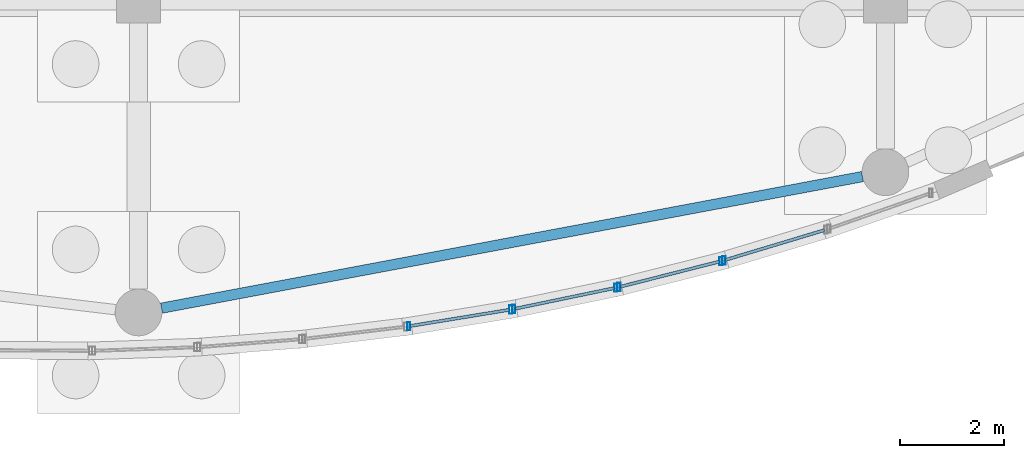
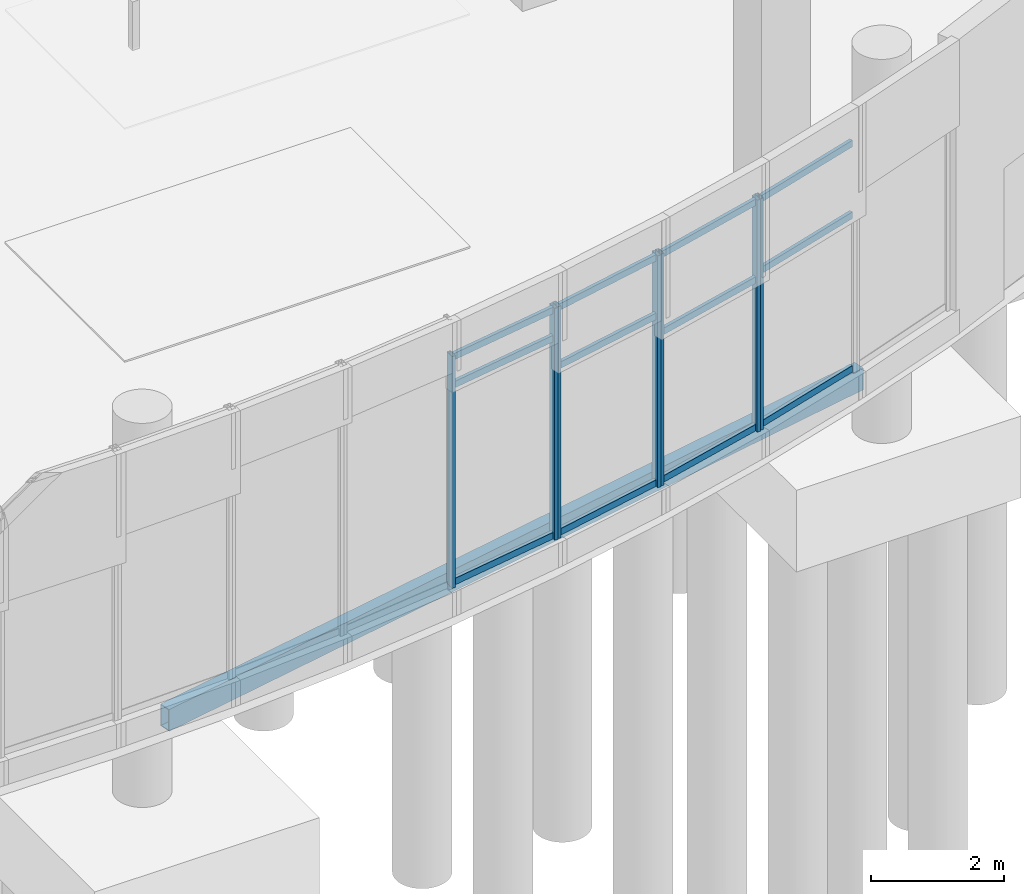
# One storey, part 42 of 192: 19 members, 1 beam, 4 elements without a shape of their own.
"""IFC4 building model written with IfcOpenShell, lengths in metres."""

import ifcopenshell
import ifcopenshell.guid

model = None  # the IFC model being written
_history = None  # IfcOwnerHistory: only IFC2X3 demands one
_inside = {}  # id of a spatial element -> (the spatial element, [elements in it])
_under = {}  # id of a project, library or spatial element -> (it, [spatial elements below it])
_declared = {}  # id of a project -> (the project, [libraries it declares])
_typed = {}  # id of a type object -> (the type object, [elements of that type])
_made_of = {}  # id of a material, layer set ... -> (it, [elements and type objects made of it])


def new_model(schema):
    """Start an empty IFC model of exactly this schema.

    Asked for "IFC4X3", IfcOpenShell would pick the latest addendum, in which some entities
    have other attributes; the version numbers below select the first issue.
    IFC2X3 requires an IfcOwnerHistory on every rooted entity: one is made here for all.
    """
    global model, _history
    if schema == "IFC4X3":
        model = ifcopenshell.file(schema_version=(4, 3, 0, 0))
    else:
        model = ifcopenshell.file(schema=schema)
    _inside.clear()
    _under.clear()
    _declared.clear()
    _typed.clear()
    _made_of.clear()
    _history = None
    if model.schema == "IFC2X3":
        org = make("IfcOrganization", Name="unknown")
        user = make(
            "IfcPersonAndOrganization",
            ThePerson=make("IfcPerson", FamilyName="unknown"),
            TheOrganization=org,
        )
        app = make(
            "IfcApplication",
            ApplicationDeveloper=org,
            Version="unknown",
            ApplicationFullName="unknown",
            ApplicationIdentifier="unknown",
        )
        _history = make(
            "IfcOwnerHistory",
            OwningUser=user,
            OwningApplication=app,
            ChangeAction="ADDED",
            CreationDate=0,
        )
    return model


def make(cls, **values):
    """One entity of the class cls with the attributes given. An attribute that is None is left unset."""
    return model.create_entity(
        cls, **{name: value for name, value in values.items() if value is not None}
    )


def rooted(cls, **values):
    """An entity with a GlobalId (a new one), such as an element, a storey or a relation."""
    return make(cls, GlobalId=ifcopenshell.guid.new(), OwnerHistory=_history, **values)


def si_unit(unit_type, name, prefix=None):
    """IfcSIUnit, for example si_unit("LENGTHUNIT", "METRE", prefix="MILLI")."""
    return make("IfcSIUnit", UnitType=unit_type, Prefix=prefix, Name=name)


def assignment(units):
    """IfcUnitAssignment: the units of a project."""
    return None if units is None else make("IfcUnitAssignment", Units=units)


def point(xyz):
    """IfcCartesianPoint."""
    return None if xyz is None else make("IfcCartesianPoint", Coordinates=xyz)


def direction(xyz):
    """IfcDirection."""
    return None if xyz is None else make("IfcDirection", DirectionRatios=xyz)


def frame(location, z_axis=None, x_axis=None):
    """IfcAxis2Placement3D, a coordinate frame: its origin and axes. An axis left out is left unset."""
    return make(
        "IfcAxis2Placement3D",
        Location=point(location),
        Axis=direction(z_axis),
        RefDirection=direction(x_axis),
    )


def frame_2d(location, x_axis=None):
    """IfcAxis2Placement2D, a coordinate frame in the plane: its origin and x axis."""
    return make(
        "IfcAxis2Placement2D", Location=point(location), RefDirection=direction(x_axis)
    )


def origin():
    """The frame at (0, 0, 0) with its axes left unset."""
    return frame((0.0, 0.0, 0.0))


def origin_2d():
    """The frame at (0, 0) in the plane with its x axis left unset."""
    return frame_2d((0.0, 0.0))


def place(relative_to, where):
    """IfcLocalPlacement: puts the frame where relative to a parent placement (None: the world)."""
    return make(
        "IfcLocalPlacement", PlacementRelTo=relative_to, RelativePlacement=where
    )


def context(
    kind, dimensions, precision=None, world=None, true_north=None, identifier=None
):
    """IfcGeometricRepresentationContext, for example the 3D "Model" context."""
    return make(
        "IfcGeometricRepresentationContext",
        ContextIdentifier=identifier,
        ContextType=kind,
        CoordinateSpaceDimension=dimensions,
        Precision=precision,
        WorldCoordinateSystem=world,
        TrueNorth=true_north,
    )


def subcontext(parent, identifier, kind, view, scale=None):
    """IfcGeometricRepresentationSubContext, for example "Body" below "Model"."""
    return make(
        "IfcGeometricRepresentationSubContext",
        ContextIdentifier=identifier,
        ContextType=kind,
        ParentContext=parent,
        TargetScale=scale,
        TargetView=view,
    )


def project(units=None, contexts=None):
    """IfcProject with its units and contexts."""
    return rooted(
        "IfcProject",
        Name="project",
        RepresentationContexts=contexts,
        UnitsInContext=assignment(units),
    )


def spatial(cls, under=None, at=None, **own):
    """A site, building, storey or space (cls), placed at a placement, below another one or the project."""
    s = rooted(cls, ObjectPlacement=at, **own)
    if under is not None:
        _under.setdefault(under.id(), (under, []))[1].append(s)
    return s


def profile(cls, at=None, kind="AREA", **sizes):
    """A parametric profile (cls). Its sizes go by their IFC names, for example OverallWidth=200.0."""
    return make(cls, ProfileType=kind, Position=at, **sizes)


def hollow_rectangle(**sizes):
    """IfcRectangleHollowProfileDef."""
    return profile("IfcRectangleHollowProfileDef", **sizes)


def extrude(swept, where, along, depth):
    """IfcExtrudedAreaSolid: the profile swept, set in the frame where, extruded along a direction by depth."""
    return make(
        "IfcExtrudedAreaSolid",
        SweptArea=swept,
        Position=where,
        ExtrudedDirection=direction(along),
        Depth=depth,
    )


def shape(context_of_items, identifier, shape_type, items):
    """IfcShapeRepresentation: the items that make up one representation, for example the "Body"."""
    return make(
        "IfcShapeRepresentation",
        ContextOfItems=context_of_items,
        RepresentationIdentifier=identifier,
        RepresentationType=shape_type,
        Items=items,
    )


def material(Name=None, Category=None):
    """IfcMaterial."""
    return make("IfcMaterial", Name=Name, Category=Category)


def material_profile(
    of_material, cross_section, Name=None, Category=None, Priority=None
):
    """IfcMaterialProfile: a cross section and its material."""
    return make(
        "IfcMaterialProfile",
        Name=Name,
        Material=of_material,
        Profile=cross_section,
        Priority=Priority,
        Category=Category,
    )


def profile_set(profiles, Name=None, composite=None):
    """IfcMaterialProfileSet."""
    return make(
        "IfcMaterialProfileSet",
        Name=Name,
        MaterialProfiles=profiles,
        CompositeProfile=composite,
    )


def made_of(thing, what):
    """Note that an element or type object is made of a material, layer set ...; save() writes the relation."""
    if what is not None:
        _made_of.setdefault(what.id(), (what, []))[1].append(thing)
    return thing


def type_object(cls, material=None, **own):
    """A type object (cls), such as IfcWallType, which elements share."""
    return made_of(rooted(cls, **own), material)


def element(
    cls,
    number,
    at=None,
    inside=None,
    cuts=None,
    type_object=None,
    material=None,
    context=None,
    identifier="Body",
    shape_type=None,
    held_by="IfcProductDefinitionShape",
    body=None,
    shapes=None,
    **own,
):
    """One element of the class cls, such as IfcWall. Its Tag is "e" and its number.

    at: its placement. inside: the storey or other place that contains it. cuts: it is an
    opening in that element (IfcRelVoidsElement). A single representation is given by context,
    identifier, shape_type and body (its items); several are given by shapes. held_by: the class
    of the entity that holds the representations. save() writes the other relations.
    """
    e = rooted(cls, Tag="e%d" % number, ObjectPlacement=at, **own)
    if body is not None:
        shapes = [shape(context, identifier, shape_type, body)]
    if shapes is not None:
        e.Representation = make(held_by, Representations=shapes)
    if inside is not None:
        _inside.setdefault(inside.id(), (inside, []))[1].append(e)
    if cuts is not None:
        rooted(
            "IfcRelVoidsElement", RelatingBuildingElement=cuts, RelatedOpeningElement=e
        )
    if type_object is not None:
        _typed.setdefault(type_object.id(), (type_object, []))[1].append(e)
    return made_of(e, material)


def aggregate(whole, parts):
    """IfcRelAggregates: a whole, such as a stair, and the parts it consists of."""
    return rooted("IfcRelAggregates", RelatingObject=whole, RelatedObjects=parts)


def save(model, path):
    """Write the relations noted so far, then the file.

    IfcRelAggregates (storeys below a building ...), IfcRelContainedInSpatialStructure (elements
    in a storey), IfcRelDefinesByType, IfcRelAssociatesMaterial and IfcRelDeclares: one each for
    every whole, place, type object, material and project.
    """
    for whole, parts in _under.values():
        aggregate(whole, parts)
    for where, things in _inside.values():
        rooted(
            "IfcRelContainedInSpatialStructure",
            RelatedElements=things,
            RelatingStructure=where,
        )
    for kind, things in _typed.values():
        rooted("IfcRelDefinesByType", RelatedObjects=things, RelatingType=kind)
    for what, things in _made_of.values():
        rooted("IfcRelAssociatesMaterial", RelatedObjects=things, RelatingMaterial=what)
    for by, libraries in _declared.values():
        rooted("IfcRelDeclares", RelatingContext=by, RelatedDefinitions=libraries)
    model.write(path)


model = new_model("IFC4")

# Units and contexts
model_context = context("Model", 3, precision=1e-05, world=origin(), true_north=direction((0.0, 1.0)))
body_context = subcontext(model_context, "Body", "Model", "MODEL_VIEW")
ifc_project = project(units=[si_unit("LENGTHUNIT", "METRE"), si_unit("AREAUNIT", "SQUARE_METRE"), si_unit("VOLUMEUNIT", "CUBIC_METRE"), si_unit("PLANEANGLEUNIT", "RADIAN"), si_unit("MASSUNIT", "GRAM", prefix="KILO")], contexts=[model_context])

# Site, building, storey
site_placement = place(None, origin())
site = spatial("IfcSite", under=ifc_project, at=site_placement, CompositionType="ELEMENT")
building_placement = place(site_placement, origin())
building = spatial("IfcBuilding", under=site, at=building_placement, Name="Cendralis Lancet Convention Centre", CompositionType="ELEMENT")
storey_placement = place(building_placement, origin())
storey = spatial("IfcBuildingStorey", under=building, at=storey_placement, Name="L00", CompositionType="ELEMENT", Elevation=0.0)

# Curtain wall, members
ifc_material_1 = material(Name="Anodised bronze architectural aluminium", Category="aluminium")
curtain_wall_type = type_object("IfcCurtainWallType", Name="ARC-CW-WF01", PredefinedType="USERDEFINED", material=ifc_material_1)
curtain_wall_1_placement = place(storey_placement, origin())
curtain_wall_1 = element("IfcCurtainWall", 1, at=curtain_wall_1_placement, inside=storey, type_object=curtain_wall_type, Name="L00 Curtain Wall CW-WF1 #028", ObjectType="CURTAIN WALL", PredefinedType="USERDEFINED")
ifc_material_profile_1 = material_profile(ifc_material_1, hollow_rectangle(XDim=0.06005859375, YDim=0.159912109375, WallThickness=0.00390625, at=origin_2d()), Name="AL-MULL 60x160x4.0")
ifc_profile_set_1 = profile_set([ifc_material_profile_1], Name="Anodised bronze architectural aluminium")
member_type_1 = type_object("IfcMemberType", Name="ARC-CW-ML01", PredefinedType="MULLION", material=ifc_profile_set_1)
member_1_placement = place(storey_placement, frame((62.8115234375, 0.9296875, 0.449951171875), z_axis=(0.0, 0.0, 1.0), x_axis=(1.0, 0.0, 0.0)))
member_1 = element("IfcMember", 2, at=member_1_placement, type_object=member_type_1, Name="Mullion CW2-CW-WF1-L00-028-M0", PredefinedType="MULLION", context=body_context, shape_type="SweptSolid", body=[
    extrude(hollow_rectangle(XDim=0.06005859375, YDim=0.159912109375, WallThickness=0.00390625, at=origin_2d()), origin(), (0.0, 0.0, 1.0), 4.255126953125),
])
member_2_placement = place(storey_placement, frame((64.77734375, 1.251220703125, 0.449951171875), z_axis=(0.0, 0.0, 1.0), x_axis=(1.0, 0.0, 0.0)))
member_2 = element("IfcMember", 3, at=member_2_placement, type_object=member_type_1, Name="Mullion CW2-CW-WF1-L00-028-M1", PredefinedType="MULLION", context=body_context, shape_type="SweptSolid", body=[
    extrude(hollow_rectangle(XDim=0.06005859375, YDim=0.159912109375, WallThickness=0.00390625, at=origin_2d()), origin(), (0.0, 0.0, 1.0), 4.255126953125),
])

curtain_wall_2_placement = place(storey_placement, origin())
curtain_wall_2 = element("IfcCurtainWall", 4, at=curtain_wall_2_placement, inside=storey, type_object=curtain_wall_type, Name="L00 Curtain Wall CW-WF1 #029", ObjectType="CURTAIN WALL", PredefinedType="USERDEFINED")
member_3_placement = place(storey_placement, frame((64.83642578125, 1.26220703125, 0.449951171875), z_axis=(0.0, 0.0, 1.0), x_axis=(1.0, 0.0, 0.0)))
member_3 = element("IfcMember", 5, at=member_3_placement, type_object=member_type_1, Name="Mullion CW2-CW-WF1-L00-029-M0", PredefinedType="MULLION", context=body_context, shape_type="SweptSolid", body=[
    extrude(hollow_rectangle(XDim=0.06005859375, YDim=0.159912109375, WallThickness=0.00390625, at=origin_2d()), origin(), (0.0, 0.0, 1.0), 4.255126953125),
])
member_4_placement = place(storey_placement, frame((66.8037109375, 1.6708984375, 0.449951171875), z_axis=(0.0, 0.0, 1.0), x_axis=(1.0, 0.0, 0.0)))
member_4 = element("IfcMember", 6, at=member_4_placement, type_object=member_type_1, Name="Mullion CW2-CW-WF1-L00-029-M1", PredefinedType="MULLION", context=body_context, shape_type="SweptSolid", body=[
    extrude(hollow_rectangle(XDim=0.06005859375, YDim=0.159912109375, WallThickness=0.00390625, at=origin_2d()), origin(), (0.0, 0.0, 1.0), 4.255126953125),
])

curtain_wall_3_placement = place(storey_placement, origin())
curtain_wall_3 = element("IfcCurtainWall", 7, at=curtain_wall_3_placement, inside=storey, type_object=curtain_wall_type, Name="L00 Curtain Wall CW-WF1 #030", ObjectType="CURTAIN WALL", PredefinedType="USERDEFINED")
member_5_placement = place(storey_placement, frame((66.862060546875, 1.684326171875, 0.449951171875), z_axis=(0.0, 0.0, 1.0), x_axis=(1.0, 0.0, 0.0)))
member_5 = element("IfcMember", 8, at=member_5_placement, type_object=member_type_1, Name="Mullion CW2-CW-WF1-L00-030-M0", PredefinedType="MULLION", context=body_context, shape_type="SweptSolid", body=[
    extrude(hollow_rectangle(XDim=0.06005859375, YDim=0.159912109375, WallThickness=0.00390625, at=origin_2d()), origin(), (0.0, 0.0, 1.0), 4.255126953125),
])
member_6_placement = place(storey_placement, frame((68.828857421875, 2.18359375, 0.449951171875), z_axis=(0.0, 0.0, 1.0), x_axis=(1.0, 0.0, 0.0)))
member_6 = element("IfcMember", 9, at=member_6_placement, type_object=member_type_1, Name="Mullion CW2-CW-WF1-L00-030-M1", PredefinedType="MULLION", context=body_context, shape_type="SweptSolid", body=[
    extrude(hollow_rectangle(XDim=0.06005859375, YDim=0.159912109375, WallThickness=0.00390625, at=origin_2d()), origin(), (0.0, 0.0, 1.0), 4.255126953125),
])

# Curtain wall, member
curtain_wall_4_placement = place(storey_placement, origin())
curtain_wall_4 = element("IfcCurtainWall", 10, at=curtain_wall_4_placement, inside=storey, type_object=curtain_wall_type, Name="L00 Curtain Wall CW-WF1 #031", ObjectType="CURTAIN WALL", PredefinedType="USERDEFINED")
member_7_placement = place(storey_placement, frame((68.88671875, 2.19970703125, 0.449951171875), z_axis=(0.0, 0.0, 1.0), x_axis=(1.0, 0.0, 0.0)))
member_7 = element("IfcMember", 11, at=member_7_placement, type_object=member_type_1, Name="Mullion CW2-CW-WF1-L00-031-M0", PredefinedType="MULLION", context=body_context, shape_type="SweptSolid", body=[
    extrude(hollow_rectangle(XDim=0.06005859375, YDim=0.159912109375, WallThickness=0.00390625, at=origin_2d()), origin(), (0.0, 0.0, 1.0), 4.255126953125),
])

# Member
ifc_material_profile_2 = material_profile(ifc_material_1, hollow_rectangle(XDim=0.06005859375, YDim=0.1201171875, WallThickness=0.00390625, at=origin_2d()), Name="AL-TRAN 60x120x4.0")
ifc_profile_set_2 = profile_set([ifc_material_profile_2], Name="Anodised bronze architectural aluminium")
member_type_2 = type_object("IfcMemberType", Name="ARC-CW-TR01", PredefinedType="USERDEFINED", material=ifc_profile_set_2)
member_8_placement = place(storey_placement, frame((62.84130859375, 0.934814453125, 0.510009765625), z_axis=(0.986911543684, 0.161262534222, 0.0), x_axis=(-0.161262534222, 0.986911543684, 0.0)))
member_8 = element("IfcMember", 12, at=member_8_placement, type_object=member_type_2, Name="Transom CW2-CW-WF1-L00-028-T0BOT", ObjectType="TRANSOM", PredefinedType="USERDEFINED", context=body_context, shape_type="SweptSolid", body=[
    extrude(hollow_rectangle(XDim=0.06005859375, YDim=0.1201171875, WallThickness=0.00390625, at=origin_2d()), origin(), (0.0, 0.0, 1.0), 1.931884765625),
])

member_9_placement = place(storey_placement, frame((62.84130859375, 0.934814453125, 4.126953125), z_axis=(0.986911543684, 0.161262534222, 0.0), x_axis=(-0.161262534222, 0.986911543684, 0.0)))
member_9 = element("IfcMember", 13, at=member_9_placement, type_object=member_type_2, Name="Transom CW2-CW-WF1-L00-028-T0MID", ObjectType="TRANSOM", PredefinedType="USERDEFINED", context=body_context, shape_type="SweptSolid", body=[
    extrude(hollow_rectangle(XDim=0.06005859375, YDim=0.1201171875, WallThickness=0.00390625, at=origin_2d()), origin(), (0.0, 0.0, 1.0), 1.931884765625),
])

member_10_placement = place(storey_placement, frame((62.84130859375, 0.934814453125, 4.64501953125), z_axis=(0.986911543684, 0.161262534222, 0.0), x_axis=(-0.161262534222, 0.986911543684, 0.0)))
member_10 = element("IfcMember", 14, at=member_10_placement, type_object=member_type_2, Name="Transom CW2-CW-WF1-L00-028-T0TOP", ObjectType="TRANSOM", PredefinedType="USERDEFINED", context=body_context, shape_type="SweptSolid", body=[
    extrude(hollow_rectangle(XDim=0.06005859375, YDim=0.1201171875, WallThickness=0.00390625, at=origin_2d()), origin(), (0.0, 0.0, 1.0), 1.931884765625),
])

aggregate(curtain_wall_1, [member_1, member_2, member_8, member_9, member_10])

member_11_placement = place(storey_placement, frame((64.86572265625, 1.268310546875, 0.510009765625), z_axis=(0.979099030448, 0.203384091257, 0.0), x_axis=(-0.203384091257, 0.979099030448, 0.0)))
member_11 = element("IfcMember", 15, at=member_11_placement, type_object=member_type_2, Name="Transom CW2-CW-WF1-L00-029-T0BOT", ObjectType="TRANSOM", PredefinedType="USERDEFINED", context=body_context, shape_type="SweptSolid", body=[
    extrude(hollow_rectangle(XDim=0.06005859375, YDim=0.1201171875, WallThickness=0.00390625, at=origin_2d()), origin(), (0.0, 0.0, 1.0), 1.949462890625),
])

member_12_placement = place(storey_placement, frame((64.86572265625, 1.268310546875, 3.570068359375), z_axis=(0.979099030448, 0.203384091257, 0.0), x_axis=(-0.203384091257, 0.979099030448, 0.0)))
member_12 = element("IfcMember", 16, at=member_12_placement, type_object=member_type_2, Name="Transom CW2-CW-WF1-L00-029-T0MID", ObjectType="TRANSOM", PredefinedType="USERDEFINED", context=body_context, shape_type="SweptSolid", body=[
    extrude(hollow_rectangle(XDim=0.06005859375, YDim=0.1201171875, WallThickness=0.00390625, at=origin_2d()), origin(), (0.0, 0.0, 1.0), 1.949462890625),
])

member_13_placement = place(storey_placement, frame((64.86572265625, 1.268310546875, 4.64501953125), z_axis=(0.979099030448, 0.203384091257, 0.0), x_axis=(-0.203384091257, 0.979099030448, 0.0)))
member_13 = element("IfcMember", 17, at=member_13_placement, type_object=member_type_2, Name="Transom CW2-CW-WF1-L00-029-T0TOP", ObjectType="TRANSOM", PredefinedType="USERDEFINED", context=body_context, shape_type="SweptSolid", body=[
    extrude(hollow_rectangle(XDim=0.06005859375, YDim=0.1201171875, WallThickness=0.00390625, at=origin_2d()), origin(), (0.0, 0.0, 1.0), 1.949462890625),
])

aggregate(curtain_wall_2, [member_3, member_4, member_11, member_12, member_13])

member_14_placement = place(storey_placement, frame((66.89111328125, 1.69189453125, 0.510009765625), z_axis=(0.969275825956, 0.245976367191, 0.0), x_axis=(-0.245976367191, 0.969275825956, 0.0)))
member_14 = element("IfcMember", 18, at=member_14_placement, type_object=member_type_2, Name="Transom CW2-CW-WF1-L00-030-T0BOT", ObjectType="TRANSOM", PredefinedType="USERDEFINED", context=body_context, shape_type="SweptSolid", body=[
    extrude(hollow_rectangle(XDim=0.06005859375, YDim=0.1201171875, WallThickness=0.00390625, at=origin_2d()), origin(), (0.0, 0.0, 1.0), 1.96923828125),
])

member_15_placement = place(storey_placement, frame((66.89111328125, 1.69189453125, 3.218017578125), z_axis=(0.969275825956, 0.245976367191, 0.0), x_axis=(-0.245976367191, 0.969275825956, 0.0)))
member_15 = element("IfcMember", 19, at=member_15_placement, type_object=member_type_2, Name="Transom CW2-CW-WF1-L00-030-T0MID", ObjectType="TRANSOM", PredefinedType="USERDEFINED", context=body_context, shape_type="SweptSolid", body=[
    extrude(hollow_rectangle(XDim=0.06005859375, YDim=0.1201171875, WallThickness=0.00390625, at=origin_2d()), origin(), (0.0, 0.0, 1.0), 1.96923828125),
])

member_16_placement = place(storey_placement, frame((66.89111328125, 1.69189453125, 4.64501953125), z_axis=(0.969275825956, 0.245976367191, 0.0), x_axis=(-0.245976367191, 0.969275825956, 0.0)))
member_16 = element("IfcMember", 20, at=member_16_placement, type_object=member_type_2, Name="Transom CW2-CW-WF1-L00-030-T0TOP", ObjectType="TRANSOM", PredefinedType="USERDEFINED", context=body_context, shape_type="SweptSolid", body=[
    extrude(hollow_rectangle(XDim=0.06005859375, YDim=0.1201171875, WallThickness=0.00390625, at=origin_2d()), origin(), (0.0, 0.0, 1.0), 1.96923828125),
])

aggregate(curtain_wall_3, [member_5, member_6, member_14, member_15, member_16])

member_17_placement = place(storey_placement, frame((68.91552734375, 2.208251953125, 0.510009765625), z_axis=(0.957620524682, 0.288032863937, 0.0), x_axis=(-0.288032863937, 0.957620524682, 0.0)))
member_17 = element("IfcMember", 21, at=member_17_placement, type_object=member_type_2, Name="Transom CW2-CW-WF1-L00-031-T0BOT", ObjectType="TRANSOM", PredefinedType="USERDEFINED", context=body_context, shape_type="SweptSolid", body=[
    extrude(hollow_rectangle(XDim=0.06005859375, YDim=0.1201171875, WallThickness=0.00390625, at=origin_2d()), origin(), (0.0, 0.0, 1.0), 1.994384765625),
])

member_18_placement = place(storey_placement, frame((68.91552734375, 2.208251953125, 3.3291015625), z_axis=(0.957620524682, 0.288032863937, 0.0), x_axis=(-0.288032863937, 0.957620524682, 0.0)))
member_18 = element("IfcMember", 22, at=member_18_placement, type_object=member_type_2, Name="Transom CW2-CW-WF1-L00-031-T0MID", ObjectType="TRANSOM", PredefinedType="USERDEFINED", context=body_context, shape_type="SweptSolid", body=[
    extrude(hollow_rectangle(XDim=0.06005859375, YDim=0.1201171875, WallThickness=0.00390625, at=origin_2d()), origin(), (0.0, 0.0, 1.0), 1.994384765625),
])

member_19_placement = place(storey_placement, frame((68.91552734375, 2.208251953125, 4.64501953125), z_axis=(0.957620524682, 0.288032863937, 0.0), x_axis=(-0.288032863937, 0.957620524682, 0.0)))
member_19 = element("IfcMember", 23, at=member_19_placement, type_object=member_type_2, Name="Transom CW2-CW-WF1-L00-031-T0TOP", ObjectType="TRANSOM", PredefinedType="USERDEFINED", context=body_context, shape_type="SweptSolid", body=[
    extrude(hollow_rectangle(XDim=0.06005859375, YDim=0.1201171875, WallThickness=0.00390625, at=origin_2d()), origin(), (0.0, 0.0, 1.0), 1.994384765625),
])

aggregate(curtain_wall_4, [member_7, member_17, member_18, member_19])

# Beam
ifc_material_2 = material(Name="Steel S355", Category="steel")
ifc_material_profile_3 = material_profile(ifc_material_2, hollow_rectangle(XDim=0.199951171875, YDim=0.39990234375, WallThickness=0.01416015625, at=origin_2d()), Name="RHS 400x200x14.2")
ifc_profile_set_3 = profile_set([ifc_material_profile_3], Name="Steel S355")
beam_type = type_object("IfcBeamType", Name="STR-SP-SP03", PredefinedType="SPANDREL", material=ifc_profile_set_3)
beam_placement = place(storey_placement, frame((58.042236328125, 1.278076171875, -0.52001953125), z_axis=(0.982836191506, 0.184480407268, 0.0), x_axis=(-0.184480407268, 0.982836191506, 0.0)))
element("IfcBeam", 24, at=beam_placement, inside=storey, type_object=beam_type, Name="L00 Beam SP03 #1035", PredefinedType="SPANDREL", context=body_context, shape_type="SweptSolid", body=[
    extrude(hollow_rectangle(XDim=0.199951171875, YDim=0.39990234375, WallThickness=0.01416015625, at=origin_2d()), origin(), (0.0, 0.0, 1.0), 13.75146484375),
])

save(model, "model.ifc")
